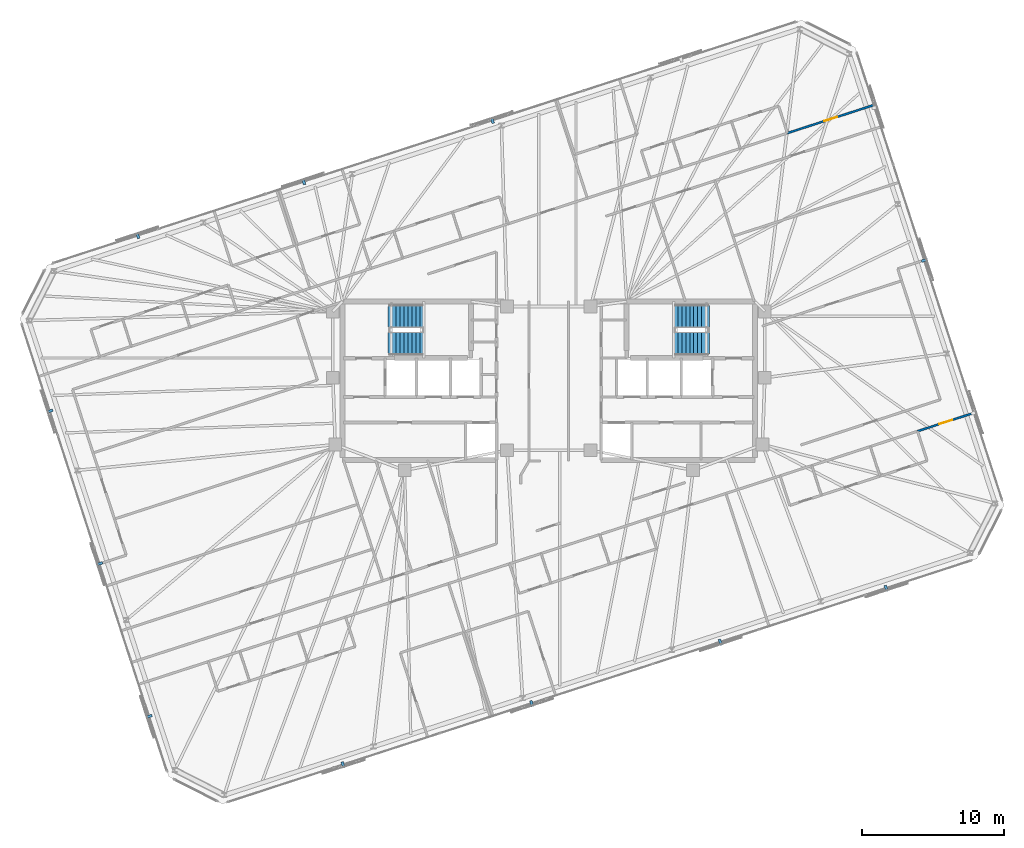
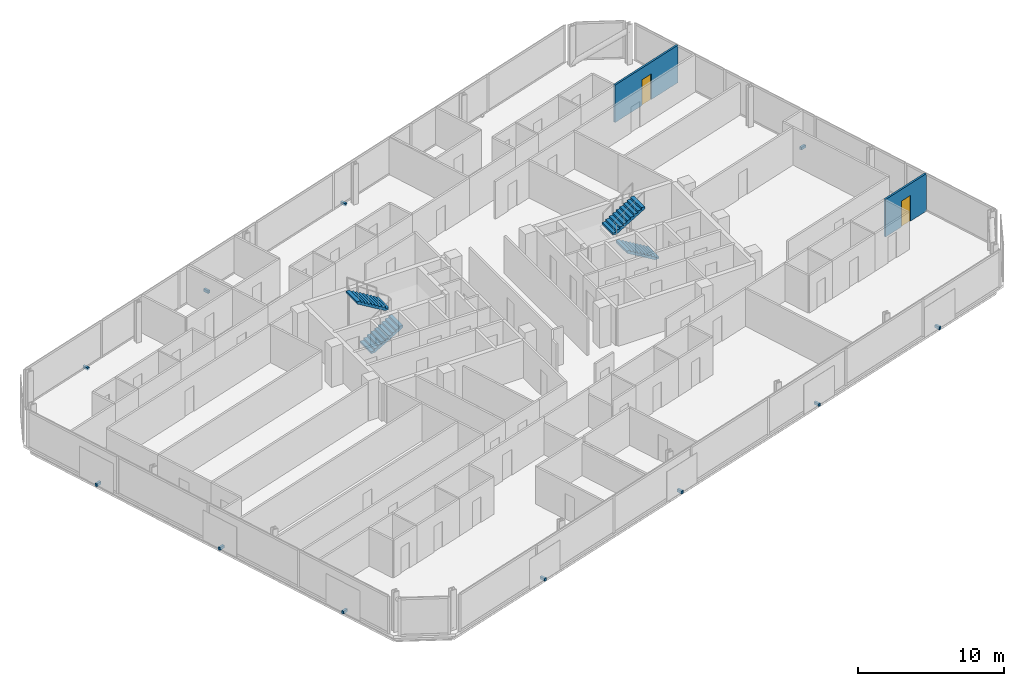
# One storey, part 18 of 20: 11 discrete accessories, 4 stair flights, 2 doors, 2 walls, 2 openings, 2 elements without a shape of their own.
"""IFC4 building model written with IfcOpenShell, lengths in metres."""

import ifcopenshell
import ifcopenshell.guid

model = None  # the IFC model being written
_history = None  # IfcOwnerHistory: only IFC2X3 demands one
_inside = {}  # id of a spatial element -> (the spatial element, [elements in it])
_under = {}  # id of a project, library or spatial element -> (it, [spatial elements below it])
_declared = {}  # id of a project -> (the project, [libraries it declares])
_typed = {}  # id of a type object -> (the type object, [elements of that type])
_made_of = {}  # id of a material, layer set ... -> (it, [elements and type objects made of it])


def new_model(schema):
    """Start an empty IFC model of exactly this schema.

    Asked for "IFC4X3", IfcOpenShell would pick the latest addendum, in which some entities
    have other attributes; the version numbers below select the first issue.
    IFC2X3 requires an IfcOwnerHistory on every rooted entity: one is made here for all.
    """
    global model, _history
    if schema == "IFC4X3":
        model = ifcopenshell.file(schema_version=(4, 3, 0, 0))
    else:
        model = ifcopenshell.file(schema=schema)
    _inside.clear()
    _under.clear()
    _declared.clear()
    _typed.clear()
    _made_of.clear()
    _history = None
    if model.schema == "IFC2X3":
        org = make("IfcOrganization", Name="unknown")
        user = make(
            "IfcPersonAndOrganization",
            ThePerson=make("IfcPerson", FamilyName="unknown"),
            TheOrganization=org,
        )
        app = make(
            "IfcApplication",
            ApplicationDeveloper=org,
            Version="unknown",
            ApplicationFullName="unknown",
            ApplicationIdentifier="unknown",
        )
        _history = make(
            "IfcOwnerHistory",
            OwningUser=user,
            OwningApplication=app,
            ChangeAction="ADDED",
            CreationDate=0,
        )
    return model


def make(cls, **values):
    """One entity of the class cls with the attributes given. An attribute that is None is left unset."""
    return model.create_entity(
        cls, **{name: value for name, value in values.items() if value is not None}
    )


def rooted(cls, **values):
    """An entity with a GlobalId (a new one), such as an element, a storey or a relation."""
    return make(cls, GlobalId=ifcopenshell.guid.new(), OwnerHistory=_history, **values)


def si_unit(unit_type, name, prefix=None):
    """IfcSIUnit, for example si_unit("LENGTHUNIT", "METRE", prefix="MILLI")."""
    return make("IfcSIUnit", UnitType=unit_type, Prefix=prefix, Name=name)


def assignment(units):
    """IfcUnitAssignment: the units of a project."""
    return None if units is None else make("IfcUnitAssignment", Units=units)


def point(xyz):
    """IfcCartesianPoint."""
    return None if xyz is None else make("IfcCartesianPoint", Coordinates=xyz)


def direction(xyz):
    """IfcDirection."""
    return None if xyz is None else make("IfcDirection", DirectionRatios=xyz)


def frame(location, z_axis=None, x_axis=None):
    """IfcAxis2Placement3D, a coordinate frame: its origin and axes. An axis left out is left unset."""
    return make(
        "IfcAxis2Placement3D",
        Location=point(location),
        Axis=direction(z_axis),
        RefDirection=direction(x_axis),
    )


def frame_2d(location, x_axis=None):
    """IfcAxis2Placement2D, a coordinate frame in the plane: its origin and x axis."""
    return make(
        "IfcAxis2Placement2D", Location=point(location), RefDirection=direction(x_axis)
    )


def origin():
    """The frame at (0, 0, 0) with its axes left unset."""
    return frame((0.0, 0.0, 0.0))


def origin_2d():
    """The frame at (0, 0) in the plane with its x axis left unset."""
    return frame_2d((0.0, 0.0))


def place(relative_to, where):
    """IfcLocalPlacement: puts the frame where relative to a parent placement (None: the world)."""
    return make(
        "IfcLocalPlacement", PlacementRelTo=relative_to, RelativePlacement=where
    )


def context(
    kind, dimensions, precision=None, world=None, true_north=None, identifier=None
):
    """IfcGeometricRepresentationContext, for example the 3D "Model" context."""
    return make(
        "IfcGeometricRepresentationContext",
        ContextIdentifier=identifier,
        ContextType=kind,
        CoordinateSpaceDimension=dimensions,
        Precision=precision,
        WorldCoordinateSystem=world,
        TrueNorth=true_north,
    )


def subcontext(parent, identifier, kind, view, scale=None):
    """IfcGeometricRepresentationSubContext, for example "Body" below "Model"."""
    return make(
        "IfcGeometricRepresentationSubContext",
        ContextIdentifier=identifier,
        ContextType=kind,
        ParentContext=parent,
        TargetScale=scale,
        TargetView=view,
    )


def project(units=None, contexts=None):
    """IfcProject with its units and contexts."""
    return rooted(
        "IfcProject",
        Name="project",
        RepresentationContexts=contexts,
        UnitsInContext=assignment(units),
    )


def spatial(cls, under=None, at=None, **own):
    """A site, building, storey or space (cls), placed at a placement, below another one or the project."""
    s = rooted(cls, ObjectPlacement=at, **own)
    if under is not None:
        _under.setdefault(under.id(), (under, []))[1].append(s)
    return s


def polyline(points):
    """IfcPolyline through the points."""
    return make("IfcPolyline", Points=[point(p) for p in points])


def profile(cls, at=None, kind="AREA", **sizes):
    """A parametric profile (cls). Its sizes go by their IFC names, for example OverallWidth=200.0."""
    return make(cls, ProfileType=kind, Position=at, **sizes)


def rectangle(**sizes):
    """IfcRectangleProfileDef."""
    return profile("IfcRectangleProfileDef", **sizes)


def outline(outer, holes=None, kind="AREA"):
    """IfcArbitraryClosedProfileDef: a profile drawn as a closed curve; with holes, ...WithVoids."""
    if holes is None:
        return make("IfcArbitraryClosedProfileDef", ProfileType=kind, OuterCurve=outer)
    return make(
        "IfcArbitraryProfileDefWithVoids",
        ProfileType=kind,
        OuterCurve=outer,
        InnerCurves=holes,
    )


def extrude(swept, where, along, depth):
    """IfcExtrudedAreaSolid: the profile swept, set in the frame where, extruded along a direction by depth."""
    return make(
        "IfcExtrudedAreaSolid",
        SweptArea=swept,
        Position=where,
        ExtrudedDirection=direction(along),
        Depth=depth,
    )


def shape(context_of_items, identifier, shape_type, items):
    """IfcShapeRepresentation: the items that make up one representation, for example the "Body"."""
    return make(
        "IfcShapeRepresentation",
        ContextOfItems=context_of_items,
        RepresentationIdentifier=identifier,
        RepresentationType=shape_type,
        Items=items,
    )


def material(Name=None, Category=None):
    """IfcMaterial."""
    return make("IfcMaterial", Name=Name, Category=Category)


def layer(
    of_material, thickness, ventilated=None, Name=None, Category=None, Priority=None
):
    """IfcMaterialLayer: one layer of a wall or slab, of a material (None: an air gap)."""
    return make(
        "IfcMaterialLayer",
        Material=of_material,
        LayerThickness=thickness,
        IsVentilated=ventilated,
        Name=Name,
        Category=Category,
        Priority=Priority,
    )


def layer_set(layers, Name=None):
    """IfcMaterialLayerSet."""
    return make("IfcMaterialLayerSet", MaterialLayers=layers, LayerSetName=Name)


def made_of(thing, what):
    """Note that an element or type object is made of a material, layer set ...; save() writes the relation."""
    if what is not None:
        _made_of.setdefault(what.id(), (what, []))[1].append(thing)
    return thing


def type_object(cls, material=None, **own):
    """A type object (cls), such as IfcWallType, which elements share."""
    return made_of(rooted(cls, **own), material)


def element(
    cls,
    number,
    at=None,
    inside=None,
    cuts=None,
    type_object=None,
    material=None,
    context=None,
    identifier="Body",
    shape_type=None,
    held_by="IfcProductDefinitionShape",
    body=None,
    shapes=None,
    **own,
):
    """One element of the class cls, such as IfcWall. Its Tag is "e" and its number.

    at: its placement. inside: the storey or other place that contains it. cuts: it is an
    opening in that element (IfcRelVoidsElement). A single representation is given by context,
    identifier, shape_type and body (its items); several are given by shapes. held_by: the class
    of the entity that holds the representations. save() writes the other relations.
    """
    e = rooted(cls, Tag="e%d" % number, ObjectPlacement=at, **own)
    if body is not None:
        shapes = [shape(context, identifier, shape_type, body)]
    if shapes is not None:
        e.Representation = make(held_by, Representations=shapes)
    if inside is not None:
        _inside.setdefault(inside.id(), (inside, []))[1].append(e)
    if cuts is not None:
        rooted(
            "IfcRelVoidsElement", RelatingBuildingElement=cuts, RelatedOpeningElement=e
        )
    if type_object is not None:
        _typed.setdefault(type_object.id(), (type_object, []))[1].append(e)
    return made_of(e, material)


def fill(opening, filler):
    """IfcRelFillsElement: the door or window that sits in an opening."""
    return rooted(
        "IfcRelFillsElement",
        RelatingOpeningElement=opening,
        RelatedBuildingElement=filler,
    )


def aggregate(whole, parts):
    """IfcRelAggregates: a whole, such as a stair, and the parts it consists of."""
    return rooted("IfcRelAggregates", RelatingObject=whole, RelatedObjects=parts)


def save(model, path):
    """Write the relations noted so far, then the file.

    IfcRelAggregates (storeys below a building ...), IfcRelContainedInSpatialStructure (elements
    in a storey), IfcRelDefinesByType, IfcRelAssociatesMaterial and IfcRelDeclares: one each for
    every whole, place, type object, material and project.
    """
    for whole, parts in _under.values():
        aggregate(whole, parts)
    for where, things in _inside.values():
        rooted(
            "IfcRelContainedInSpatialStructure",
            RelatedElements=things,
            RelatingStructure=where,
        )
    for kind, things in _typed.values():
        rooted("IfcRelDefinesByType", RelatedObjects=things, RelatingType=kind)
    for what, things in _made_of.values():
        rooted("IfcRelAssociatesMaterial", RelatedObjects=things, RelatingMaterial=what)
    for by, libraries in _declared.values():
        rooted("IfcRelDeclares", RelatingContext=by, RelatedDefinitions=libraries)
    model.write(path)


model = new_model("IFC4")

# Units and contexts
model_context = context("Model", 3, precision=1e-05, world=origin(), true_north=direction((0.0, 1.0)))
body_context = subcontext(model_context, "Body", "Model", "MODEL_VIEW")
ifc_project = project(units=[si_unit("LENGTHUNIT", "METRE"), si_unit("AREAUNIT", "SQUARE_METRE"), si_unit("VOLUMEUNIT", "CUBIC_METRE"), si_unit("PLANEANGLEUNIT", "RADIAN"), si_unit("MASSUNIT", "GRAM", prefix="KILO")], contexts=[model_context])

# Site, building, storey
site_placement = place(None, origin())
site = spatial("IfcSite", under=ifc_project, at=site_placement, CompositionType="ELEMENT")
building_placement = place(site_placement, origin())
building = spatial("IfcBuilding", under=site, at=building_placement, Name="Menara Jurai Vektor", CompositionType="ELEMENT")
storey_placement = place(building_placement, frame((0.0, 0.0, 237.699951171875)))
storey = spatial("IfcBuildingStorey", under=building, at=storey_placement, Name="L63", CompositionType="ELEMENT", Elevation=237.699951171875)

# Wall, opening, door
ifc_material_1 = material(Name="Gypsum Fireboard Partition", Category="gypsum")
ifc_layer = layer(ifc_material_1, 0.14990234375)
ifc_layer_set = layer_set([ifc_layer], Name="Gypsum Fireboard Partition")
wall_type = type_object("IfcWallType", Name="INT-WALL-CORR-150", PredefinedType="PARTITIONING", material=ifc_layer_set)
wall_1_placement = place(storey_placement, frame((16.845703125, 17.48876953125, 0.0), z_axis=(0.0, 0.0, 1.0), x_axis=(0.951062281754, 0.308999249554, 0.0)))
wall_1 = element("IfcWall", 1, at=wall_1_placement, inside=storey, type_object=wall_type, Name="Interior Wall IW-150 L63", PredefinedType="PARTITIONING", context=body_context, shape_type="SweptSolid", body=[
    extrude(rectangle(XDim=6.421875, YDim=0.14990234375, at=frame_2d((3.2109375, 0.0))), origin(), (0.0, 0.0, 1.0), 3.125),
])
opening_1_placement = place(wall_1_placement, frame((2.736083984375, 0.0, 0.0)))
opening_1 = element("IfcOpeningElement", 2, at=opening_1_placement, cuts=wall_1, Name="Opening D63-20", PredefinedType="OPENING", context=body_context, shape_type="SweptSolid", body=[
    extrude(rectangle(XDim=0.949951171875, YDim=2.14990234375, at=frame_2d((0.47509765625, 1.074951171875))), frame((0.0, 0.0849609375, 0.0), z_axis=(0.0, -1.0, 0.0), x_axis=(1.0, 0.0, 0.0)), (0.0, 0.0, 1.0), 0.169921875),
])
ifc_material_2 = material(Name="Solid Core Timber Fire Door", Category="wood")
door_type = type_object("IfcDoorType", Name="DR-ENTRY-950", OperationType="NOTDEFINED", PredefinedType="DOOR", material=ifc_material_2)
door_1_placement = place(opening_1_placement, origin())
door_1 = element("IfcDoor", 3, at=door_1_placement, inside=storey, type_object=door_type, Name="Interior Door D63-20", OperationType="SINGLE_SWING_RIGHT", OverallHeight=2.14990234375, OverallWidth=0.949951171875, PredefinedType="DOOR", context=body_context, shape_type="SweptSolid", body=[
    extrude(rectangle(XDim=0.949951171875, YDim=2.14990234375, at=frame_2d((0.47509765625, 1.074951171875))), frame((0.0, 0.02490234375, 0.0), z_axis=(0.0, -1.0, 0.0), x_axis=(1.0, 0.0, 0.0)), (0.0, 0.0, 1.0), 0.050048828125),
])
fill(opening_1, door_1)

wall_2_placement = place(storey_placement, frame((26.02978515625, -3.557373046875, 0.0), z_axis=(0.0, 0.0, 1.0), x_axis=(0.951050334989, 0.309036017832, 0.0)))
wall_2 = element("IfcWall", 4, at=wall_2_placement, inside=storey, type_object=wall_type, Name="Interior Wall IW-150 L63", PredefinedType="PARTITIONING", context=body_context, shape_type="SweptSolid", body=[
    extrude(rectangle(XDim=4.19091796875, YDim=0.14990234375, at=frame_2d((2.095458984375, 0.0))), origin(), (0.0, 0.0, 1.0), 3.125),
])
opening_2_placement = place(wall_2_placement, frame((1.62060546875, 0.0, 0.0)))
opening_2 = element("IfcOpeningElement", 5, at=opening_2_placement, cuts=wall_2, Name="Opening D63-35", PredefinedType="OPENING", context=body_context, shape_type="SweptSolid", body=[
    extrude(rectangle(XDim=0.949951171875, YDim=2.14990234375, at=frame_2d((0.47509765625, 1.074951171875))), frame((0.0, 0.0849609375, 0.0), z_axis=(0.0, -1.0, 0.0), x_axis=(1.0, 0.0, 0.0)), (0.0, 0.0, 1.0), 0.169921875),
])
door_2_placement = place(opening_2_placement, origin())
door_2 = element("IfcDoor", 6, at=door_2_placement, inside=storey, type_object=door_type, Name="Interior Door D63-35", OperationType="SINGLE_SWING_LEFT", OverallHeight=2.14990234375, OverallWidth=0.949951171875, PredefinedType="DOOR", context=body_context, shape_type="SweptSolid", body=[
    extrude(rectangle(XDim=0.949951171875, YDim=2.14990234375, at=frame_2d((0.47509765625, 1.074951171875))), frame((0.0, 0.02490234375, 0.0), z_axis=(0.0, -1.0, 0.0), x_axis=(1.0, 0.0, 0.0)), (0.0, 0.0, 1.0), 0.050048828125),
])
fill(opening_2, door_2)

# Stair, stair flights
ifc_material_3 = material(Name="Concrete C40/50", Category="concrete")
stair_type = type_object("IfcStairType", Name="STAIR-DOGLEG-1500", PredefinedType="HALF_TURN_STAIR", material=ifc_material_3)
stair_1_placement = place(storey_placement, origin())
stair_1 = element("IfcStair", 7, at=stair_1_placement, inside=storey, type_object=stair_type, Name="Protected Exit Stair ST1 L63", PredefinedType="HALF_TURN_STAIR")
stair_flight_type = type_object("IfcStairFlightType", Name="STAIR-FLIGHT-1500", PredefinedType="STRAIGHT", material=ifc_material_3)
stair_flight_1_placement = place(storey_placement, frame((-11.35009765625, 2.64990234375, 0.0), z_axis=(0.0, 0.0, 1.0), x_axis=(1.0, 0.0, 0.0)))
stair_flight_1 = element("IfcStairFlight", 8, at=stair_flight_1_placement, type_object=stair_flight_type, Name="ST1 flight 1", NumberOfRisers=10, NumberOfTreads=9, PredefinedType="STRAIGHT", RiserHeight=0.1675, TreadLength=0.28, context=body_context, shape_type="SweptSolid", body=[
    extrude(outline(polyline([(0.0, 0.0), (0.0, 0.16748046875), (0.280029296875, 0.16748046875), (0.280029296875, 0.3349609375), (0.56005859375, 0.3349609375), (0.56005859375, 0.50244140625), (0.840087890625, 0.50244140625), (0.840087890625, 0.669921875), (1.1201171875, 0.669921875), (1.1201171875, 0.83740234375), (1.39990234375, 0.83740234375), (1.39990234375, 1.0048828125), (1.679931640625, 1.0048828125), (1.679931640625, 1.172607421875), (1.9599609375, 1.172607421875), (1.9599609375, 1.340087890625), (2.239990234375, 1.340087890625), (2.239990234375, 1.507568359375), (2.52001953125, 1.507568359375), (2.52001953125, 1.675048828125), (2.52001953125, 1.321044921875), (0.3115234375, 0.0), (0.0, 0.0)])), frame((0.0, 0.75, 0.0), z_axis=(0.0, -1.0, 0.0), x_axis=(1.0, 0.0, 0.0)), (0.0, 0.0, 1.0), 1.5),
])
stair_flight_2_placement = place(storey_placement, frame((-8.830078125, 4.550048828125, 1.675048828125), z_axis=(0.0, 0.0, 1.0), x_axis=(-1.0, 0.0, 0.0)))
stair_flight_2 = element("IfcStairFlight", 9, at=stair_flight_2_placement, type_object=stair_flight_type, Name="ST1 flight 2", NumberOfRisers=10, NumberOfTreads=9, PredefinedType="STRAIGHT", RiserHeight=0.1675, TreadLength=0.28, context=body_context, shape_type="SweptSolid", body=[
    extrude(outline(polyline([(0.0, 0.0), (0.0, 0.16748046875), (0.280029296875, 0.16748046875), (0.280029296875, 0.3349609375), (0.56005859375, 0.3349609375), (0.56005859375, 0.50244140625), (0.840087890625, 0.50244140625), (0.840087890625, 0.669921875), (1.1201171875, 0.669921875), (1.1201171875, 0.83740234375), (1.39990234375, 0.83740234375), (1.39990234375, 1.0048828125), (1.679931640625, 1.0048828125), (1.679931640625, 1.172607421875), (1.9599609375, 1.172607421875), (1.9599609375, 1.340087890625), (2.239990234375, 1.340087890625), (2.239990234375, 1.507568359375), (2.52001953125, 1.507568359375), (2.52001953125, 1.675048828125), (2.52001953125, 1.321044921875), (0.3115234375, 0.0), (0.0, 0.0)])), frame((0.0, 0.75, 0.0), z_axis=(0.0, -1.0, 0.0), x_axis=(1.0, 0.0, 0.0)), (0.0, 0.0, 1.0), 1.5),
])
aggregate(stair_1, [stair_flight_1, stair_flight_2])

stair_2_placement = place(storey_placement, origin())
stair_2 = element("IfcStair", 10, at=stair_2_placement, inside=storey, type_object=stair_type, Name="Protected Exit Stair ST2 L63", PredefinedType="HALF_TURN_STAIR")
stair_flight_3_placement = place(storey_placement, frame((11.35009765625, 2.64990234375, 0.0), z_axis=(0.0, 0.0, 1.0), x_axis=(-1.0, 0.0, 0.0)))
stair_flight_3 = element("IfcStairFlight", 11, at=stair_flight_3_placement, type_object=stair_flight_type, Name="ST2 flight 1", NumberOfRisers=10, NumberOfTreads=9, PredefinedType="STRAIGHT", RiserHeight=0.1675, TreadLength=0.28, context=body_context, shape_type="SweptSolid", body=[
    extrude(outline(polyline([(0.0, 0.0), (0.0, 0.16748046875), (0.280029296875, 0.16748046875), (0.280029296875, 0.3349609375), (0.56005859375, 0.3349609375), (0.56005859375, 0.50244140625), (0.840087890625, 0.50244140625), (0.840087890625, 0.669921875), (1.1201171875, 0.669921875), (1.1201171875, 0.83740234375), (1.39990234375, 0.83740234375), (1.39990234375, 1.0048828125), (1.679931640625, 1.0048828125), (1.679931640625, 1.172607421875), (1.9599609375, 1.172607421875), (1.9599609375, 1.340087890625), (2.239990234375, 1.340087890625), (2.239990234375, 1.507568359375), (2.52001953125, 1.507568359375), (2.52001953125, 1.675048828125), (2.52001953125, 1.321044921875), (0.3115234375, 0.0), (0.0, 0.0)])), frame((0.0, 0.75, 0.0), z_axis=(0.0, -1.0, 0.0), x_axis=(1.0, 0.0, 0.0)), (0.0, 0.0, 1.0), 1.5),
])
stair_flight_4_placement = place(storey_placement, frame((8.830078125, 4.550048828125, 1.675048828125), z_axis=(0.0, 0.0, 1.0), x_axis=(1.0, 0.0, 0.0)))
stair_flight_4 = element("IfcStairFlight", 12, at=stair_flight_4_placement, type_object=stair_flight_type, Name="ST2 flight 2", NumberOfRisers=10, NumberOfTreads=9, PredefinedType="STRAIGHT", RiserHeight=0.1675, TreadLength=0.28, context=body_context, shape_type="SweptSolid", body=[
    extrude(outline(polyline([(0.0, 0.0), (0.0, 0.16748046875), (0.280029296875, 0.16748046875), (0.280029296875, 0.3349609375), (0.56005859375, 0.3349609375), (0.56005859375, 0.50244140625), (0.840087890625, 0.50244140625), (0.840087890625, 0.669921875), (1.1201171875, 0.669921875), (1.1201171875, 0.83740234375), (1.39990234375, 0.83740234375), (1.39990234375, 1.0048828125), (1.679931640625, 1.0048828125), (1.679931640625, 1.172607421875), (1.9599609375, 1.172607421875), (1.9599609375, 1.340087890625), (2.239990234375, 1.340087890625), (2.239990234375, 1.507568359375), (2.52001953125, 1.507568359375), (2.52001953125, 1.675048828125), (2.52001953125, 1.321044921875), (0.3115234375, 0.0), (0.0, 0.0)])), frame((0.0, 0.75, 0.0), z_axis=(0.0, -1.0, 0.0), x_axis=(1.0, 0.0, 0.0)), (0.0, 0.0, 1.0), 1.5),
])
aggregate(stair_2, [stair_flight_3, stair_flight_4])

# Discrete accessories
ifc_material_4 = material(Name="Steel S355", Category="steel")
discrete_accessory_type = type_object("IfcDiscreteAccessoryType", Name="ENV-ACC-BRACKET", PredefinedType="BRACKET", material=ifc_material_4)
for number, where, z_axis, x_axis, name in (
    (13, (-14.524658203125, -27.1142578125, -0.1298828125), (0.0, 0.0, 1.0), (0.951056516295, 0.309016994375, 0.0), "Solar Screen Stand-Off Bracket L63-S01"),
    (14, (-1.2099609375, -22.7880859375, -0.1298828125), (0.0, 0.0, 1.0), (0.951056516295, 0.309016994375, 0.0), "Solar Screen Stand-Off Bracket L63-S02"),
    (15, (12.10498046875, -18.4619140625, -0.1298828125), (0.0, 0.0, 1.0), (0.951056516295, 0.309016994375, 0.0), "Solar Screen Stand-Off Bracket L63-S03"),
    (16, (23.822021484375, -14.65478515625, -0.1298828125), (0.0, 0.0, 1.0), (0.951056516295, 0.309016994375, 0.0), "Solar Screen Stand-Off Bracket L63-S04"),
    (17, (26.5244140625, 8.514404296875, -0.1298828125), (0.0, 0.0, 1.0), (-0.309016994375, 0.951056516295, 0.0), "Solar Screen Stand-Off Bracket L63-S06"),
    (18, (-3.989990234375, 18.38818359375, -0.1298828125), (0.0, 0.0, 1.0), (-0.951056516295, -0.309016994375, 0.0), "Solar Screen Stand-Off Bracket L63-S09"),
    (19, (-17.304931640625, 14.06201171875, -0.1298828125), (0.0, 0.0, 1.0), (-0.951056516295, -0.309016994375, 0.0), "Solar Screen Stand-Off Bracket L63-S10"),
    (20, (-29.02197265625, 10.2548828125, -0.1298828125), (0.0, 0.0, 1.0), (-0.951056516295, -0.309016994375, 0.0), "Solar Screen Stand-Off Bracket L63-S11"),
    (21, (-35.226806640625, -2.1357421875, -0.1298828125), (0.0, 0.0, 1.0), (0.309016994375, -0.951056516295, 0.0), "Solar Screen Stand-Off Bracket L63-S12"),
    (22, (-31.724609375, -12.914306640625, -0.1298828125), (0.0, 0.0, 1.0), (0.309016994375, -0.951056516295, 0.0), "Solar Screen Stand-Off Bracket L63-S13"),
    (23, (-28.222412109375, -23.693115234375, -0.1298828125), (0.0, 0.0, 1.0), (0.309016994375, -0.951056516295, 0.0), "Solar Screen Stand-Off Bracket L63-S14"),
):
    element("IfcDiscreteAccessory", number, at=place(storey_placement, frame(where, z_axis=z_axis, x_axis=x_axis)), inside=storey, type_object=discrete_accessory_type, Name=name, PredefinedType="BRACKET", context=body_context, shape_type="SweptSolid", body=[
        extrude(rectangle(XDim=0.179931640625, YDim=0.43994140625, at=origin_2d()), origin(), (0.0, 0.0, 1.0), 0.219970703125),
    ])

save(model, "model.ifc")
